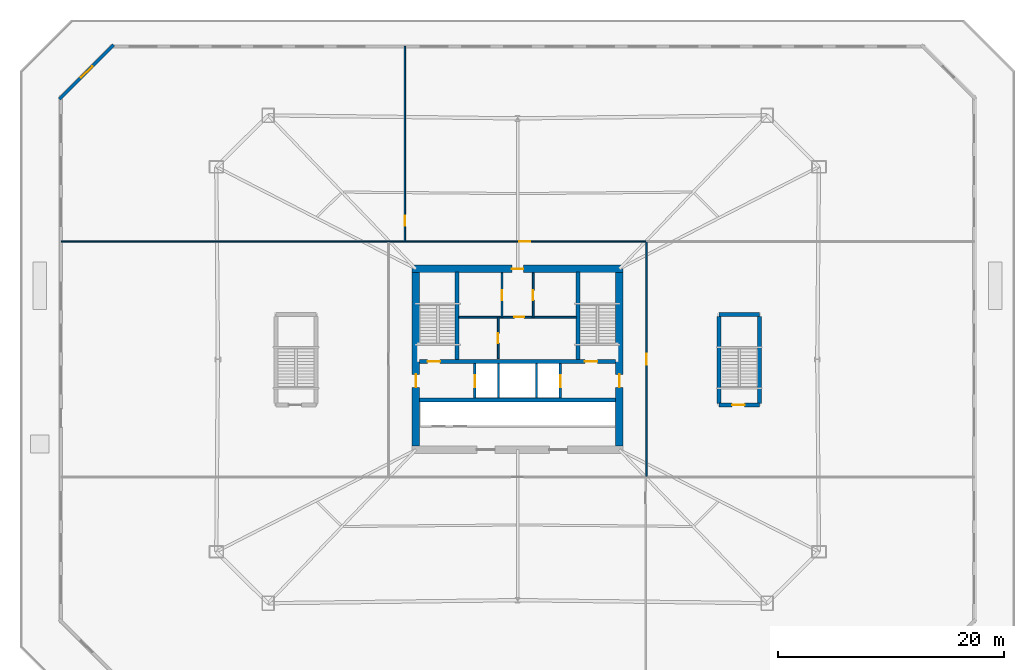
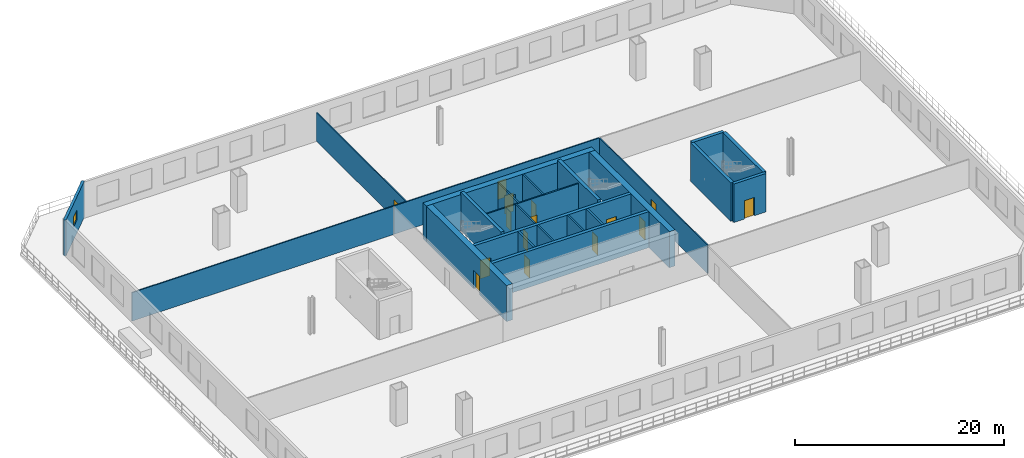
# One storey, part 4 of 9: 24 walls, 15 doors, 1 window, 16 openings.
"""IFC4 building model written with IfcOpenShell, lengths in metres."""

from ifc_helpers import new_model, si_unit, direction, frame, frame_2d, origin, place, context, subcontext, project, spatial, rectangle, extrude, material, layer, layer_set, type_object, element, fill, save


model = new_model("IFC4")

# Units and contexts
model_context = context("Model", 3, precision=1e-05, world=origin(), true_north=direction((0.0, 1.0)))
body_context = subcontext(model_context, "Body", "Model", "MODEL_VIEW")
ifc_project = project(units=[si_unit("LENGTHUNIT", "METRE"), si_unit("AREAUNIT", "SQUARE_METRE"), si_unit("VOLUMEUNIT", "CUBIC_METRE"), si_unit("PLANEANGLEUNIT", "RADIAN"), si_unit("MASSUNIT", "GRAM", prefix="KILO")], contexts=[model_context])

# Site, building, storey
site_placement = place(None, origin())
site = spatial("IfcSite", under=ifc_project, at=site_placement, CompositionType="ELEMENT")
building_placement = place(site_placement, origin())
building = spatial("IfcBuilding", under=site, at=building_placement, Name="Caelvoria Tower", CompositionType="ELEMENT")
storey_placement = place(building_placement, frame((0.0, 0.0, 5.0)))
storey = spatial("IfcBuildingStorey", under=building, at=storey_placement, Name="L01", CompositionType="ELEMENT", Elevation=5.0)

# Wall, openings, doors
ifc_material_1 = material(Name="Concrete C50/60", Category="concrete")
ifc_layer_1 = layer(ifc_material_1, 0.35009765625, Name="Concrete C50/60")
ifc_layer_set_1 = layer_set([ifc_layer_1], Name="Core Internal Shear Wall 350 - Concrete C50/60")
wall_type_1 = type_object("IfcWallType", Name="Core Internal Shear Wall 350", PredefinedType="SHEAR", material=ifc_layer_set_1)
wall_1_placement = place(storey_placement, frame((37.324951171875, 31.800048828125, 0.0), z_axis=(0.0, 0.0, 1.0), x_axis=(1.0, 0.0, 0.0)))
wall_1 = element("IfcWall", 1, at=wall_1_placement, inside=storey, type_object=wall_type_1, Name="Core Shear Wall L01 M1", PredefinedType="SHEAR", context=body_context, shape_type="SweptSolid", body=[
    extrude(rectangle(XDim=17.35009765625, YDim=0.35009765625, at=frame_2d((8.675048828125, 0.0))), origin(), (0.0, 0.0, 1.0), 4.219970703125),
])
opening_1_placement = place(wall_1_placement, frame((0.72509765625, 0.0, 0.0)))
opening_1 = element("IfcOpeningElement", 2, at=opening_1_placement, cuts=wall_1, Name="Opening ID-01", PredefinedType="OPENING", context=body_context, shape_type="SweptSolid", body=[
    extrude(rectangle(XDim=1.10009765625, YDim=2.14990234375, at=frame_2d((0.550048828125, 1.074951171875))), frame((0.0, 0.18505859375, 0.0), z_axis=(0.0, -1.0, 0.0), x_axis=(1.0, 0.0, 0.0)), (0.0, 0.0, 1.0), 0.3701171875),
])
opening_2_placement = place(wall_1_placement, frame((14.625, 0.0, 0.0)))
opening_2 = element("IfcOpeningElement", 3, at=opening_2_placement, cuts=wall_1, Name="Opening ID-01", PredefinedType="OPENING", context=body_context, shape_type="SweptSolid", body=[
    extrude(rectangle(XDim=1.10009765625, YDim=2.14990234375, at=frame_2d((0.550048828125, 1.074951171875))), frame((0.0, 0.18505859375, 0.0), z_axis=(0.0, -1.0, 0.0), x_axis=(1.0, 0.0, 0.0)), (0.0, 0.0, 1.0), 0.3701171875),
])
ifc_material_2 = material(Name="Painted Hollow Steel Fire Door", Category="steel")
door_type_1 = type_object("IfcDoorType", Name="Fire Door FD90S 1100x2150", OperationType="NOTDEFINED", PredefinedType="DOOR", material=ifc_material_2)
door_1_placement = place(opening_1_placement, origin())
door_1 = element("IfcDoor", 4, at=door_1_placement, inside=storey, type_object=door_type_1, Name="Core Door DR-L01-ST1", OperationType="SINGLE_SWING_LEFT", OverallHeight=2.14990234375, OverallWidth=1.10009765625, PredefinedType="DOOR", context=body_context, shape_type="SweptSolid", body=[
    extrude(rectangle(XDim=1.10009765625, YDim=2.14990234375, at=frame_2d((0.550048828125, 1.074951171875))), frame((0.0, 0.02490234375, 0.0), z_axis=(0.0, -1.0, 0.0), x_axis=(1.0, 0.0, 0.0)), (0.0, 0.0, 1.0), 0.050048828125),
])
fill(opening_1, door_1)
door_2_placement = place(opening_2_placement, origin())
door_2 = element("IfcDoor", 5, at=door_2_placement, inside=storey, type_object=door_type_1, Name="Core Door DR-L01-ST2", OperationType="SINGLE_SWING_RIGHT", OverallHeight=2.14990234375, OverallWidth=1.10009765625, PredefinedType="DOOR", context=body_context, shape_type="SweptSolid", body=[
    extrude(rectangle(XDim=1.10009765625, YDim=2.14990234375, at=frame_2d((0.550048828125, 1.074951171875))), frame((0.0, 0.02490234375, 0.0), z_axis=(0.0, -1.0, 0.0), x_axis=(1.0, 0.0, 0.0)), (0.0, 0.0, 1.0), 0.050048828125),
])
fill(opening_2, door_2)

# Walls
wall_2_placement = place(storey_placement, frame((37.324951171875, 28.39990234375, 0.0), z_axis=(0.0, 0.0, 1.0), x_axis=(1.0, 0.0, 0.0)))
element("IfcWall", 6, at=wall_2_placement, inside=storey, type_object=wall_type_1, Name="Core Shear Wall L01 M2", PredefinedType="SHEAR", context=body_context, shape_type="SweptSolid", body=[
    extrude(rectangle(XDim=17.35009765625, YDim=0.35009765625, at=frame_2d((8.675048828125, 0.0))), origin(), (0.0, 0.0, 1.0), 4.219970703125),
])
for number, where, z_axis, x_axis, name in (
    (7, (40.64990234375, 32.0, 0.0), (0.0, 0.0, 1.0), (0.0, 1.0, 0.0), "Interior Partition IW-L01-ST1E"),
    (8, (51.35009765625, 32.0, 0.0), (0.0, 0.0, 1.0), (0.0, 1.0, 0.0), "Interior Partition IW-L01-ST2W"),
):
    element("IfcWall", number, at=place(storey_placement, frame(where, z_axis=z_axis, x_axis=x_axis)), inside=storey, type_object=wall_type_1, Name=name, PredefinedType="SHEAR", context=body_context, shape_type="SweptSolid", body=[
        extrude(rectangle(XDim=7.699951171875, YDim=0.35009765625, at=frame_2d((3.85009765625, 0.0))), origin(), (0.0, 0.0, 1.0), 4.5),
    ])

# Wall, opening, door
wall_3_placement = place(storey_placement, frame((63.824951171875, 27.949951171875, 0.0), z_axis=(0.0, 0.0, 1.0), x_axis=(1.0, 0.0, 0.0)))
wall_3 = element("IfcWall", 9, at=wall_3_placement, inside=storey, type_object=wall_type_1, Name="Podium Stair Shear Wall L01 ST4 S", PredefinedType="SHEAR", context=body_context, shape_type="SweptSolid", body=[
    extrude(rectangle(XDim=3.550048828125, YDim=0.35009765625, at=frame_2d((1.77490234375, 0.0))), origin(), (0.0, 0.0, 1.0), 4.5),
])
opening_3_placement = place(wall_3_placement, frame((1.14990234375, 0.0, 0.0)))
opening_3 = element("IfcOpeningElement", 10, at=opening_3_placement, cuts=wall_3, Name="Opening ID-01", PredefinedType="OPENING", context=body_context, shape_type="SweptSolid", body=[
    extrude(rectangle(XDim=1.10009765625, YDim=2.14990234375, at=frame_2d((0.550048828125, 1.074951171875))), frame((0.0, 0.18505859375, 0.0), z_axis=(0.0, -1.0, 0.0), x_axis=(1.0, 0.0, 0.0)), (0.0, 0.0, 1.0), 0.3701171875),
])
door_3_placement = place(opening_3_placement, origin())
door_3 = element("IfcDoor", 11, at=door_3_placement, inside=storey, type_object=door_type_1, Name="Podium Stair Door L01 ST4", OperationType="SINGLE_SWING_RIGHT", OverallHeight=2.14990234375, OverallWidth=1.10009765625, PredefinedType="DOOR", context=body_context, shape_type="SweptSolid", body=[
    extrude(rectangle(XDim=1.10009765625, YDim=2.14990234375, at=frame_2d((0.550048828125, 1.074951171875))), frame((0.0, 0.02490234375, 0.0), z_axis=(0.0, -1.0, 0.0), x_axis=(1.0, 0.0, 0.0)), (0.0, 0.0, 1.0), 0.050048828125),
])
fill(opening_3, door_3)

# Walls
wall_4_placement = place(storey_placement, frame((63.824951171875, 35.949951171875, 0.0), z_axis=(0.0, 0.0, 1.0), x_axis=(1.0, 0.0, 0.0)))
element("IfcWall", 12, at=wall_4_placement, inside=storey, type_object=wall_type_1, Name="Podium Stair Shear Wall L01 ST4 N", PredefinedType="SHEAR", context=body_context, shape_type="SweptSolid", body=[
    extrude(rectangle(XDim=3.550048828125, YDim=0.35009765625, at=frame_2d((1.77490234375, 0.0))), origin(), (0.0, 0.0, 1.0), 4.5),
])
for number, where, z_axis, x_axis, name in (
    (13, (63.824951171875, 28.10009765625, 0.0), (0.0, 0.0, 1.0), (0.0, 1.0, 0.0), "Podium Stair Shear Wall L01 ST4 W"),
    (14, (67.375, 28.10009765625, 0.0), (0.0, 0.0, 1.0), (0.0, 1.0, 0.0), "Podium Stair Shear Wall L01 ST4 E"),
):
    element("IfcWall", number, at=place(storey_placement, frame(where, z_axis=z_axis, x_axis=x_axis)), inside=storey, type_object=wall_type_1, Name=name, PredefinedType="SHEAR", context=body_context, shape_type="SweptSolid", body=[
        extrude(rectangle(XDim=7.699951171875, YDim=0.35009765625, at=frame_2d((3.85009765625, 0.0))), origin(), (0.0, 0.0, 1.0), 4.5),
    ])

# Wall, opening, door
ifc_material_3 = material(Name="Double Gypsum Board on Steel Stud", Category="steel")
ifc_layer_2 = layer(ifc_material_3, 0.14990234375, Name="Double Gypsum Board on Steel Stud")
ifc_layer_set_2 = layer_set([ifc_layer_2], Name="Core Service Acoustic Partition Wall 150 - Double Gypsum Board on Steel Stud")
wall_type_2 = type_object("IfcWallType", Name="Core Service Acoustic Partition Wall 150", PredefinedType="PARTITIONING", material=ifc_layer_set_2)
wall_5_placement = place(storey_placement, frame((44.6201171875, 35.719970703125, 0.0), z_axis=(0.0, 0.0, 1.0), x_axis=(0.0, 1.0, 0.0)))
wall_5 = element("IfcWall", 15, at=wall_5_placement, inside=storey, type_object=wall_type_2, Name="Interior Partition IW-L01-C0L", PredefinedType="PARTITIONING", context=body_context, shape_type="SweptSolid", body=[
    extrude(rectangle(XDim=3.929931640625, YDim=0.14990234375, at=frame_2d((1.96484375, 0.0))), origin(), (0.0, 0.0, 1.0), 4.219970703125),
])
opening_4_placement = place(wall_5_placement, frame((1.5, 0.0, 0.0)))
opening_4 = element("IfcOpeningElement", 16, at=opening_4_placement, cuts=wall_5, Name="Opening ID-06", PredefinedType="OPENING", context=body_context, shape_type="SweptSolid", body=[
    extrude(rectangle(XDim=0.89990234375, YDim=2.14990234375, at=frame_2d((0.449951171875, 1.074951171875))), frame((0.0, 0.0849609375, 0.0), z_axis=(0.0, -1.0, 0.0), x_axis=(1.0, 0.0, 0.0)), (0.0, 0.0, 1.0), 0.169921875),
])
ifc_material_4 = material(Name="Engineered Andean Oak Veneer Door", Category="wood")
door_type_2 = type_object("IfcDoorType", Name="Interior Timber Door 900x2150", OperationType="NOTDEFINED", PredefinedType="DOOR", material=ifc_material_4)
door_4_placement = place(opening_4_placement, origin())
door_4 = element("IfcDoor", 17, at=door_4_placement, inside=storey, type_object=door_type_2, Name="Interior Door DR-L01-C01", OperationType="SINGLE_SWING_LEFT", OverallHeight=2.14990234375, OverallWidth=0.89990234375, PredefinedType="DOOR", context=body_context, shape_type="SweptSolid", body=[
    extrude(rectangle(XDim=0.89990234375, YDim=2.14990234375, at=frame_2d((0.449951171875, 1.074951171875))), frame((0.0, 0.02490234375, 0.0), z_axis=(0.0, -1.0, 0.0), x_axis=(1.0, 0.0, 0.0)), (0.0, 0.0, 1.0), 0.050048828125),
])
fill(opening_4, door_4)

wall_6_placement = place(storey_placement, frame((47.3798828125, 35.719970703125, 0.0), z_axis=(0.0, 0.0, 1.0), x_axis=(0.0, 1.0, 0.0)))
wall_6 = element("IfcWall", 18, at=wall_6_placement, inside=storey, type_object=wall_type_2, Name="Interior Partition IW-L01-C0R", PredefinedType="PARTITIONING", context=body_context, shape_type="SweptSolid", body=[
    extrude(rectangle(XDim=3.929931640625, YDim=0.14990234375, at=frame_2d((1.96484375, 0.0))), origin(), (0.0, 0.0, 1.0), 4.219970703125),
])
opening_5_placement = place(wall_6_placement, frame((1.5, 0.0, 0.0)))
opening_5 = element("IfcOpeningElement", 19, at=opening_5_placement, cuts=wall_6, Name="Opening ID-06", PredefinedType="OPENING", context=body_context, shape_type="SweptSolid", body=[
    extrude(rectangle(XDim=0.89990234375, YDim=2.14990234375, at=frame_2d((0.449951171875, 1.074951171875))), frame((0.0, 0.0849609375, 0.0), z_axis=(0.0, -1.0, 0.0), x_axis=(1.0, 0.0, 0.0)), (0.0, 0.0, 1.0), 0.169921875),
])
door_5_placement = place(opening_5_placement, origin())
door_5 = element("IfcDoor", 20, at=door_5_placement, inside=storey, type_object=door_type_2, Name="Interior Door DR-L01-C02", OperationType="SINGLE_SWING_RIGHT", OverallHeight=2.14990234375, OverallWidth=0.89990234375, PredefinedType="DOOR", context=body_context, shape_type="SweptSolid", body=[
    extrude(rectangle(XDim=0.89990234375, YDim=2.14990234375, at=frame_2d((0.449951171875, 1.074951171875))), frame((0.0, 0.02490234375, 0.0), z_axis=(0.0, -1.0, 0.0), x_axis=(1.0, 0.0, 0.0)), (0.0, 0.0, 1.0), 0.050048828125),
])
fill(opening_5, door_5)

wall_7_placement = place(storey_placement, frame((44.280029296875, 32.050048828125, 0.0), z_axis=(0.0, 0.0, 1.0), x_axis=(0.0, 1.0, 0.0)))
wall_7 = element("IfcWall", 21, at=wall_7_placement, inside=storey, type_object=wall_type_2, Name="Interior Partition IW-L01-C0M", PredefinedType="PARTITIONING", context=body_context, shape_type="SweptSolid", body=[
    extrude(rectangle(XDim=3.669921875, YDim=0.14990234375, at=frame_2d((1.8349609375, 0.0))), origin(), (0.0, 0.0, 1.0), 4.219970703125),
])
opening_6_placement = place(wall_7_placement, frame((1.35009765625, 0.0, 0.0)))
opening_6 = element("IfcOpeningElement", 22, at=opening_6_placement, cuts=wall_7, Name="Opening ID-07", PredefinedType="OPENING", context=body_context, shape_type="SweptSolid", body=[
    extrude(rectangle(XDim=0.919921875, YDim=2.14990234375, at=frame_2d((0.4599609375, 1.074951171875))), frame((0.0, 0.0849609375, 0.0), z_axis=(0.0, -1.0, 0.0), x_axis=(1.0, 0.0, 0.0)), (0.0, 0.0, 1.0), 0.169921875),
])
ifc_material_5 = material(Name="Engineered Andean Oak Accessible Door", Category="wood")
door_type_3 = type_object("IfcDoorType", Name="Accessible WC Door 950x2150", OperationType="NOTDEFINED", PredefinedType="DOOR", material=ifc_material_5)
door_6_placement = place(opening_6_placement, origin())
door_6 = element("IfcDoor", 23, at=door_6_placement, inside=storey, type_object=door_type_3, Name="Interior Door DR-L01-C05", OperationType="SINGLE_SWING_LEFT", OverallHeight=2.14990234375, OverallWidth=0.919921875, PredefinedType="DOOR", context=body_context, shape_type="SweptSolid", body=[
    extrude(rectangle(XDim=0.919921875, YDim=2.14990234375, at=frame_2d((0.4599609375, 1.074951171875))), frame((0.0, 0.02490234375, 0.0), z_axis=(0.0, -1.0, 0.0), x_axis=(1.0, 0.0, 0.0)), (0.0, 0.0, 1.0), 0.050048828125),
])
fill(opening_6, door_6)

wall_8_placement = place(storey_placement, frame((40.800048828125, 35.719970703125, 0.0), z_axis=(0.0, 0.0, 1.0), x_axis=(1.0, 0.0, 0.0)))
wall_8 = element("IfcWall", 24, at=wall_8_placement, inside=storey, type_object=wall_type_2, Name="Interior Partition IW-L01-C0H", PredefinedType="PARTITIONING", context=body_context, shape_type="SweptSolid", body=[
    extrude(rectangle(XDim=10.39990234375, YDim=0.14990234375, at=frame_2d((5.199951171875, 0.0))), origin(), (0.0, 0.0, 1.0), 4.219970703125),
])
opening_7_placement = place(wall_8_placement, frame((4.89990234375, 0.0, 0.0)))
opening_7 = element("IfcOpeningElement", 25, at=opening_7_placement, cuts=wall_8, Name="Opening ID-04", PredefinedType="OPENING", context=body_context, shape_type="SweptSolid", body=[
    extrude(rectangle(XDim=0.89990234375, YDim=2.14990234375, at=frame_2d((0.449951171875, 1.074951171875))), frame((0.0, 0.0849609375, 0.0), z_axis=(0.0, -1.0, 0.0), x_axis=(1.0, 0.0, 0.0)), (0.0, 0.0, 1.0), 0.169921875),
])
ifc_material_6 = material(Name="Acoustic Timber Fire Door", Category="wood")
door_type_4 = type_object("IfcDoorType", Name="Fire Door FD30S 900x2150", OperationType="NOTDEFINED", PredefinedType="DOOR", material=ifc_material_6)
door_7_placement = place(opening_7_placement, origin())
door_7 = element("IfcDoor", 26, at=door_7_placement, inside=storey, type_object=door_type_4, Name="Interior Door DR-L01-C04", OperationType="SINGLE_SWING_RIGHT", OverallHeight=2.14990234375, OverallWidth=0.89990234375, PredefinedType="DOOR", context=body_context, shape_type="SweptSolid", body=[
    extrude(rectangle(XDim=0.89990234375, YDim=2.14990234375, at=frame_2d((0.449951171875, 1.074951171875))), frame((0.0, 0.02490234375, 0.0), z_axis=(0.0, -1.0, 0.0), x_axis=(1.0, 0.0, 0.0)), (0.0, 0.0, 1.0), 0.050048828125),
])
fill(opening_7, door_7)

# Wall, opening, window
ifc_material_7 = material(Name="Precast Concrete C40/50 with Bronze Cladding", Category="concrete")
ifc_layer_3 = layer(ifc_material_7, 0.280029296875, Name="Precast Concrete C40/50 with Bronze Cladding")
ifc_layer_set_3 = layer_set([ifc_layer_3], Name="Exterior Precast Concrete C40/50 Bronze-Clad Facade Wall 280 - Precast Concrete C40/50 with Bronze Cladding")
wall_type_3 = type_object("IfcWallType", Name="Exterior Precast Concrete C40/50 Bronze-Clad Facade Wall 280", PredefinedType="STANDARD", material=ifc_layer_set_3)
wall_9_placement = place(storey_placement, frame((10.298095703125, 59.800048828125, 0.0), z_axis=(0.0, 0.0, 1.0), x_axis=(-0.707106781187, -0.707106781187, 0.0)))
wall_9 = element("IfcWall", 27, at=wall_9_placement, inside=storey, type_object=wall_type_3, Name="Exterior Facade Wall L01-E5", PredefinedType="STANDARD", context=body_context, shape_type="SweptSolid", body=[
    extrude(rectangle(XDim=6.78564453125, YDim=0.280029296875, at=frame_2d((3.392822265625, 0.0))), origin(), (0.0, 0.0, 1.0), 4.219970703125),
])
opening_8_placement = place(wall_9_placement, frame((2.692626953125, 0.0, 1.5)))
opening_8 = element("IfcOpeningElement", 28, at=opening_8_placement, cuts=wall_9, Name="Opening WN-06", PredefinedType="OPENING", context=body_context, shape_type="SweptSolid", body=[
    extrude(rectangle(XDim=1.39990234375, YDim=1.199951171875, at=frame_2d((0.699951171875, 0.60009765625))), frame((0.0, 0.14990234375, 0.0), z_axis=(0.0, -1.0, 0.0), x_axis=(1.0, 0.0, 0.0)), (0.0, 0.0, 1.0), 0.300048828125),
])
ifc_material_8 = material(Name="Low-E Tinted Glass in Bronze Aluminium Frame", Category="aluminium")
window_type = type_object("IfcWindowType", Name="Podium Clerestory Window 1400x1200", PartitioningType="SINGLE_PANEL", PredefinedType="WINDOW", material=ifc_material_8)
window_placement = place(opening_8_placement, origin())
window = element("IfcWindow", 29, at=window_placement, inside=storey, type_object=window_type, Name="Facade Window L01-E5-00", OverallHeight=1.199951171875, OverallWidth=1.39990234375, PartitioningType="SINGLE_PANEL", PredefinedType="WINDOW", context=body_context, shape_type="SweptSolid", body=[
    extrude(rectangle(XDim=1.39990234375, YDim=1.199951171875, at=frame_2d((0.699951171875, 0.60009765625))), frame((0.0, 0.030029296875, 0.0), z_axis=(0.0, -1.0, 0.0), x_axis=(1.0, 0.0, 0.0)), (0.0, 0.0, 1.0), 0.06005859375),
])
fill(opening_8, window)

# Walls
ifc_material_9 = material(Name="Concrete Block and Fireboard Assembly", Category="concrete")
ifc_layer_4 = layer(ifc_material_9, 0.179931640625, Name="Concrete Block and Fireboard Assembly")
ifc_layer_set_4 = layer_set([ifc_layer_4], Name="Fire-Rated Hoistway Partition Wall 180 - Concrete Block and Fireboard Assembly")
wall_type_4 = type_object("IfcWallType", Name="Fire-Rated Hoistway Partition Wall 180", PredefinedType="PARTITIONING", material=ifc_layer_set_4)
for number, where, z_axis, x_axis, name in (
    (30, (44.320068359375, 28.580078125, 0.0), (0.0, 0.0, 1.0), (0.0, 1.0, 0.0), "Interior Partition IW-L01-SV1W"),
    (31, (47.679931640625, 28.580078125, 0.0), (0.0, 0.0, 1.0), (0.0, 1.0, 0.0), "Interior Partition IW-L01-SV1E"),
):
    element("IfcWall", number, at=place(storey_placement, frame(where, z_axis=z_axis, x_axis=x_axis)), inside=storey, type_object=wall_type_4, Name=name, PredefinedType="PARTITIONING", context=body_context, shape_type="SweptSolid", body=[
        extrude(rectangle(XDim=3.0400390625, YDim=0.179931640625, at=frame_2d((1.52001953125, 0.0))), origin(), (0.0, 0.0, 1.0), 4.219970703125),
    ])

# Wall, opening, door
ifc_layer_5 = layer(ifc_material_9, 0.199951171875, Name="Concrete Block and Fireboard Assembly")
ifc_layer_set_5 = layer_set([ifc_layer_5], Name="Fire-Rated Shaft and Core Partition Wall 200 - Concrete Block and Fireboard Assembly")
wall_type_5 = type_object("IfcWallType", Name="Fire-Rated Shaft and Core Partition Wall 200", PredefinedType="PARTITIONING", material=ifc_layer_set_5)
wall_10_placement = place(storey_placement, frame((42.219970703125, 28.580078125, 0.0), z_axis=(0.0, 0.0, 1.0), x_axis=(0.0, 1.0, 0.0)))
wall_10 = element("IfcWall", 32, at=wall_10_placement, inside=storey, type_object=wall_type_5, Name="Interior Partition IW-L01-LF1W", PredefinedType="PARTITIONING", context=body_context, shape_type="SweptSolid", body=[
    extrude(rectangle(XDim=3.0400390625, YDim=0.199951171875, at=frame_2d((1.52001953125, 0.0))), origin(), (0.0, 0.0, 1.0), 4.219970703125),
])
opening_9_placement = place(wall_10_placement, frame((0.949951171875, 0.0, 0.0)))
opening_9 = element("IfcOpeningElement", 33, at=opening_9_placement, cuts=wall_10, Name="Opening LD-01", PredefinedType="OPENING", context=body_context, shape_type="SweptSolid", body=[
    extrude(rectangle(XDim=1.050048828125, YDim=2.14990234375, at=frame_2d((0.52490234375, 1.074951171875))), frame((0.0, 0.10986328125, 0.0), z_axis=(0.0, -1.0, 0.0), x_axis=(1.0, 0.0, 0.0)), (0.0, 0.0, 1.0), 0.219970703125),
])
ifc_material_10 = material(Name="Brushed Bronze Stainless Sliding Landing Door", Category="aluminium")
door_type_5 = type_object("IfcDoorType", Name="Lift Landing Sliding Door 1100x2150", OperationType="NOTDEFINED", PredefinedType="DOOR", material=ifc_material_10)
door_8_placement = place(opening_9_placement, origin())
door_8 = element("IfcDoor", 34, at=door_8_placement, inside=storey, type_object=door_type_5, Name="Interior Door LD-L01-LF1", OperationType="SLIDING_TO_LEFT", OverallHeight=2.14990234375, OverallWidth=1.050048828125, PredefinedType="DOOR", context=body_context, shape_type="SweptSolid", body=[
    extrude(rectangle(XDim=1.050048828125, YDim=2.14990234375, at=frame_2d((0.52490234375, 1.074951171875))), frame((0.0, 0.02490234375, 0.0), z_axis=(0.0, -1.0, 0.0), x_axis=(1.0, 0.0, 0.0)), (0.0, 0.0, 1.0), 0.050048828125),
])
fill(opening_9, door_8)

wall_11_placement = place(storey_placement, frame((49.780029296875, 28.580078125, 0.0), z_axis=(0.0, 0.0, 1.0), x_axis=(0.0, 1.0, 0.0)))
wall_11 = element("IfcWall", 35, at=wall_11_placement, inside=storey, type_object=wall_type_5, Name="Interior Partition IW-L01-LF2E", PredefinedType="PARTITIONING", context=body_context, shape_type="SweptSolid", body=[
    extrude(rectangle(XDim=3.0400390625, YDim=0.199951171875, at=frame_2d((1.52001953125, 0.0))), origin(), (0.0, 0.0, 1.0), 4.219970703125),
])
opening_10_placement = place(wall_11_placement, frame((0.949951171875, 0.0, 0.0)))
opening_10 = element("IfcOpeningElement", 36, at=opening_10_placement, cuts=wall_11, Name="Opening LD-01", PredefinedType="OPENING", context=body_context, shape_type="SweptSolid", body=[
    extrude(rectangle(XDim=1.050048828125, YDim=2.14990234375, at=frame_2d((0.52490234375, 1.074951171875))), frame((0.0, 0.10986328125, 0.0), z_axis=(0.0, -1.0, 0.0), x_axis=(1.0, 0.0, 0.0)), (0.0, 0.0, 1.0), 0.219970703125),
])
door_9_placement = place(opening_10_placement, origin())
door_9 = element("IfcDoor", 37, at=door_9_placement, inside=storey, type_object=door_type_5, Name="Interior Door LD-L01-LF2", OperationType="SLIDING_TO_RIGHT", OverallHeight=2.14990234375, OverallWidth=1.050048828125, PredefinedType="DOOR", context=body_context, shape_type="SweptSolid", body=[
    extrude(rectangle(XDim=1.050048828125, YDim=2.14990234375, at=frame_2d((0.52490234375, 1.074951171875))), frame((0.0, 0.02490234375, 0.0), z_axis=(0.0, -1.0, 0.0), x_axis=(1.0, 0.0, 0.0)), (0.0, 0.0, 1.0), 0.050048828125),
])
fill(opening_10, door_9)

ifc_material_11 = material(Name="Concrete C60/75", Category="concrete")
ifc_layer_6 = layer(ifc_material_11, 0.64990234375, Name="Concrete C60/75")
ifc_layer_set_6 = layer_set([ifc_layer_6], Name="Lower Core Shear Wall 650 - Concrete C60/75")
wall_type_6 = type_object("IfcWallType", Name="Lower Core Shear Wall 650", PredefinedType="SHEAR", material=ifc_layer_set_6)
wall_12_placement = place(storey_placement, frame((36.675048828125, 40.0, 0.0), z_axis=(0.0, 0.0, 1.0), x_axis=(1.0, 0.0, 0.0)))
wall_12 = element("IfcWall", 38, at=wall_12_placement, inside=storey, type_object=wall_type_6, Name="Core Shear Wall L01 N", PredefinedType="SHEAR", context=body_context, shape_type="SweptSolid", body=[
    extrude(rectangle(XDim=18.64990234375, YDim=0.64990234375, at=frame_2d((9.324951171875, 0.0))), origin(), (0.0, 0.0, 1.0), 4.219970703125),
])
opening_11_placement = place(wall_12_placement, frame((8.824951171875, 0.0, 0.0)))
opening_11 = element("IfcOpeningElement", 39, at=opening_11_placement, cuts=wall_12, Name="Opening ID-03", PredefinedType="OPENING", context=body_context, shape_type="SweptSolid", body=[
    extrude(rectangle(XDim=1.0, YDim=2.14990234375, at=frame_2d((0.5, 1.074951171875))), frame((0.0, 0.3349609375, 0.0), z_axis=(0.0, -1.0, 0.0), x_axis=(1.0, 0.0, 0.0)), (0.0, 0.0, 1.0), 0.669921875),
])
door_type_6 = type_object("IfcDoorType", Name="Fire Door FD60S 1000x2150", OperationType="NOTDEFINED", PredefinedType="DOOR", material=ifc_material_2)
door_10_placement = place(opening_11_placement, origin())
door_10 = element("IfcDoor", 40, at=door_10_placement, inside=storey, type_object=door_type_6, Name="Core Door DR-L01-WC-MAIN", OperationType="SINGLE_SWING_RIGHT", OverallHeight=2.14990234375, OverallWidth=1.0, PredefinedType="DOOR", context=body_context, shape_type="SweptSolid", body=[
    extrude(rectangle(XDim=1.0, YDim=2.14990234375, at=frame_2d((0.5, 1.074951171875))), frame((0.0, 0.02490234375, 0.0), z_axis=(0.0, -1.0, 0.0), x_axis=(1.0, 0.0, 0.0)), (0.0, 0.0, 1.0), 0.050048828125),
])
fill(opening_11, door_10)

wall_13_placement = place(storey_placement, frame((37.0, 24.324951171875, 0.0), z_axis=(0.0, 0.0, 1.0), x_axis=(0.0, 1.0, 0.0)))
wall_13 = element("IfcWall", 41, at=wall_13_placement, inside=storey, type_object=wall_type_6, Name="Core Shear Wall L01 W", PredefinedType="SHEAR", context=body_context, shape_type="SweptSolid", body=[
    extrude(rectangle(XDim=15.35009765625, YDim=0.64990234375, at=frame_2d((7.675048828125, 0.0))), origin(), (0.0, 0.0, 1.0), 4.219970703125),
])
opening_12_placement = place(wall_13_placement, frame((5.199951171875, 0.0, 0.0)))
opening_12 = element("IfcOpeningElement", 42, at=opening_12_placement, cuts=wall_13, Name="Opening ID-02", PredefinedType="OPENING", context=body_context, shape_type="SweptSolid", body=[
    extrude(rectangle(XDim=1.14990234375, YDim=2.14990234375, at=frame_2d((0.574951171875, 1.074951171875))), frame((0.0, 0.3349609375, 0.0), z_axis=(0.0, -1.0, 0.0), x_axis=(1.0, 0.0, 0.0)), (0.0, 0.0, 1.0), 0.669921875),
])
door_type_7 = type_object("IfcDoorType", Name="Fire Door FD60S 1150x2150", OperationType="NOTDEFINED", PredefinedType="DOOR", material=ifc_material_2)
door_11_placement = place(opening_12_placement, origin())
door_11 = element("IfcDoor", 43, at=door_11_placement, inside=storey, type_object=door_type_7, Name="Core Door DR-L01-FFLW-OUT", OperationType="SINGLE_SWING_LEFT", OverallHeight=2.14990234375, OverallWidth=1.14990234375, PredefinedType="DOOR", context=body_context, shape_type="SweptSolid", body=[
    extrude(rectangle(XDim=1.14990234375, YDim=2.14990234375, at=frame_2d((0.574951171875, 1.074951171875))), frame((0.0, 0.02490234375, 0.0), z_axis=(0.0, -1.0, 0.0), x_axis=(1.0, 0.0, 0.0)), (0.0, 0.0, 1.0), 0.050048828125),
])
fill(opening_12, door_11)

wall_14_placement = place(storey_placement, frame((55.0, 24.324951171875, 0.0), z_axis=(0.0, 0.0, 1.0), x_axis=(0.0, 1.0, 0.0)))
wall_14 = element("IfcWall", 44, at=wall_14_placement, inside=storey, type_object=wall_type_6, Name="Core Shear Wall L01 E", PredefinedType="SHEAR", context=body_context, shape_type="SweptSolid", body=[
    extrude(rectangle(XDim=15.35009765625, YDim=0.64990234375, at=frame_2d((7.675048828125, 0.0))), origin(), (0.0, 0.0, 1.0), 4.219970703125),
])
opening_13_placement = place(wall_14_placement, frame((5.199951171875, 0.0, 0.0)))
opening_13 = element("IfcOpeningElement", 45, at=opening_13_placement, cuts=wall_14, Name="Opening ID-02", PredefinedType="OPENING", context=body_context, shape_type="SweptSolid", body=[
    extrude(rectangle(XDim=1.14990234375, YDim=2.14990234375, at=frame_2d((0.574951171875, 1.074951171875))), frame((0.0, 0.3349609375, 0.0), z_axis=(0.0, -1.0, 0.0), x_axis=(1.0, 0.0, 0.0)), (0.0, 0.0, 1.0), 0.669921875),
])
door_12_placement = place(opening_13_placement, origin())
door_12 = element("IfcDoor", 46, at=door_12_placement, inside=storey, type_object=door_type_7, Name="Core Door DR-L01-FFLE-OUT", OperationType="SINGLE_SWING_RIGHT", OverallHeight=2.14990234375, OverallWidth=1.14990234375, PredefinedType="DOOR", context=body_context, shape_type="SweptSolid", body=[
    extrude(rectangle(XDim=1.14990234375, YDim=2.14990234375, at=frame_2d((0.574951171875, 1.074951171875))), frame((0.0, 0.02490234375, 0.0), z_axis=(0.0, -1.0, 0.0), x_axis=(1.0, 0.0, 0.0)), (0.0, 0.0, 1.0), 0.050048828125),
])
fill(opening_13, door_12)

ifc_material_12 = material(Name="Acoustic Gypsum Board on Light-Gauge Stud", Category="gypsum")
ifc_layer_7 = layer(ifc_material_12, 0.1201171875, Name="Acoustic Gypsum Board on Light-Gauge Stud")
ifc_layer_set_7 = layer_set([ifc_layer_7], Name="Tenant Suite Acoustic Partition Wall 120 - Acoustic Gypsum Board on Light-Gauge Stud")
wall_type_7 = type_object("IfcWallType", Name="Tenant Suite Acoustic Partition Wall 120", PredefinedType="PARTITIONING", material=ifc_layer_set_7)
wall_15_placement = place(storey_placement, frame((36.03369140625, 42.409912109375, 0.0), z_axis=(0.0, 0.0, 1.0), x_axis=(0.0, 1.0, 0.0)))
wall_15 = element("IfcWall", 47, at=wall_15_placement, inside=storey, type_object=wall_type_7, Name="Interior Partition IW-L01-ND-00-0", PredefinedType="PARTITIONING", context=body_context, shape_type="SweptSolid", body=[
    extrude(rectangle(XDim=17.25, YDim=0.1201171875, at=frame_2d((8.625, 0.0))), origin(), (0.0, 0.0, 1.0), 3.320068359375),
])
opening_14_placement = place(wall_15_placement, frame((1.39990234375, 0.0, 0.0)))
opening_14 = element("IfcOpeningElement", 48, at=opening_14_placement, cuts=wall_15, Name="Opening ID-06", PredefinedType="OPENING", context=body_context, shape_type="SweptSolid", body=[
    extrude(rectangle(XDim=0.89990234375, YDim=2.14990234375, at=frame_2d((0.449951171875, 1.074951171875))), frame((0.0, 0.070068359375, 0.0), z_axis=(0.0, -1.0, 0.0), x_axis=(1.0, 0.0, 0.0)), (0.0, 0.0, 1.0), 0.14013671875),
])
door_13_placement = place(opening_14_placement, origin())
door_13 = element("IfcDoor", 49, at=door_13_placement, inside=storey, type_object=door_type_2, Name="Interior Door DR-L01-NM-00-0", OperationType="SINGLE_SWING_RIGHT", OverallHeight=2.14990234375, OverallWidth=0.89990234375, PredefinedType="DOOR", context=body_context, shape_type="SweptSolid", body=[
    extrude(rectangle(XDim=0.89990234375, YDim=2.14990234375, at=frame_2d((0.449951171875, 1.074951171875))), frame((0.0, 0.02490234375, 0.0), z_axis=(0.0, -1.0, 0.0), x_axis=(1.0, 0.0, 0.0)), (0.0, 0.0, 1.0), 0.050048828125),
])
fill(opening_14, door_13)

wall_16_placement = place(storey_placement, frame((34.64990234375, 42.409912109375, 0.0), z_axis=(0.0, 0.0, 1.0), x_axis=(1.0, 0.0, 0.0)))
wall_16 = element("IfcWall", 50, at=wall_16_placement, inside=storey, type_object=wall_type_7, Name="Interior Partition IW-L01-NCW-0", PredefinedType="PARTITIONING", context=body_context, shape_type="SweptSolid", body=[
    extrude(rectangle(XDim=22.7001953125, YDim=0.1201171875, at=frame_2d((11.35009765625, 0.0))), origin(), (0.0, 0.0, 1.0), 3.320068359375),
])
opening_15_placement = place(wall_16_placement, frame((11.496826171875, 0.0, 0.0)))
opening_15 = element("IfcOpeningElement", 51, at=opening_15_placement, cuts=wall_16, Name="Opening ID-05", PredefinedType="OPENING", context=body_context, shape_type="SweptSolid", body=[
    extrude(rectangle(XDim=0.949951171875, YDim=2.14990234375, at=frame_2d((0.47509765625, 1.074951171875))), frame((0.0, 0.070068359375, 0.0), z_axis=(0.0, -1.0, 0.0), x_axis=(1.0, 0.0, 0.0)), (0.0, 0.0, 1.0), 0.14013671875),
])
door_type_8 = type_object("IfcDoorType", Name="Interior Timber Door 950x2150", OperationType="NOTDEFINED", PredefinedType="DOOR", material=ifc_material_4)
door_14_placement = place(opening_15_placement, origin())
door_14 = element("IfcDoor", 52, at=door_14_placement, inside=storey, type_object=door_type_8, Name="Interior Door DR-L01-NC-01-0", OperationType="SINGLE_SWING_LEFT", OverallHeight=2.14990234375, OverallWidth=0.949951171875, PredefinedType="DOOR", context=body_context, shape_type="SweptSolid", body=[
    extrude(rectangle(XDim=0.949951171875, YDim=2.14990234375, at=frame_2d((0.47509765625, 1.074951171875))), frame((0.0, 0.02490234375, 0.0), z_axis=(0.0, -1.0, 0.0), x_axis=(1.0, 0.0, 0.0)), (0.0, 0.0, 1.0), 0.050048828125),
])
fill(opening_15, door_14)

wall_17_placement = place(storey_placement, frame((57.409912109375, 21.64990234375, 0.0), z_axis=(0.0, 0.0, 1.0), x_axis=(0.0, 1.0, 0.0)))
wall_17 = element("IfcWall", 53, at=wall_17_placement, inside=storey, type_object=wall_type_7, Name="Interior Partition IW-L01-ECW-0", PredefinedType="PARTITIONING", context=body_context, shape_type="SweptSolid", body=[
    extrude(rectangle(XDim=20.7001953125, YDim=0.1201171875, at=frame_2d((10.35009765625, 0.0))), origin(), (0.0, 0.0, 1.0), 3.320068359375),
])
opening_16_placement = place(wall_17_placement, frame((9.875, 0.0, 0.0)))
opening_16 = element("IfcOpeningElement", 54, at=opening_16_placement, cuts=wall_17, Name="Opening ID-05", PredefinedType="OPENING", context=body_context, shape_type="SweptSolid", body=[
    extrude(rectangle(XDim=0.949951171875, YDim=2.14990234375, at=frame_2d((0.47509765625, 1.074951171875))), frame((0.0, 0.070068359375, 0.0), z_axis=(0.0, -1.0, 0.0), x_axis=(1.0, 0.0, 0.0)), (0.0, 0.0, 1.0), 0.14013671875),
])
door_15_placement = place(opening_16_placement, origin())
door_15 = element("IfcDoor", 55, at=door_15_placement, inside=storey, type_object=door_type_8, Name="Interior Door DR-L01-EC-00-0", OperationType="SINGLE_SWING_RIGHT", OverallHeight=2.14990234375, OverallWidth=0.949951171875, PredefinedType="DOOR", context=body_context, shape_type="SweptSolid", body=[
    extrude(rectangle(XDim=0.949951171875, YDim=2.14990234375, at=frame_2d((0.47509765625, 1.074951171875))), frame((0.0, 0.02490234375, 0.0), z_axis=(0.0, -1.0, 0.0), x_axis=(1.0, 0.0, 0.0)), (0.0, 0.0, 1.0), 0.050048828125),
])
fill(opening_16, door_15)

# Wall
wall_18_placement = place(storey_placement, frame((34.64990234375, 42.409912109375, 0.0), z_axis=(0.0, 0.0, 1.0), x_axis=(-1.0, 0.0, 0.0)))
element("IfcWall", 56, at=wall_18_placement, inside=storey, type_object=wall_type_7, Name="Interior Partition IW-L01-BNW-0", PredefinedType="PARTITIONING", context=body_context, shape_type="SweptSolid", body=[
    extrude(rectangle(XDim=29.010009765625, YDim=0.1201171875, at=frame_2d((14.5048828125, 0.0))), origin(), (0.0, 0.0, 1.0), 3.320068359375),
])

save(model, "model.ifc")
